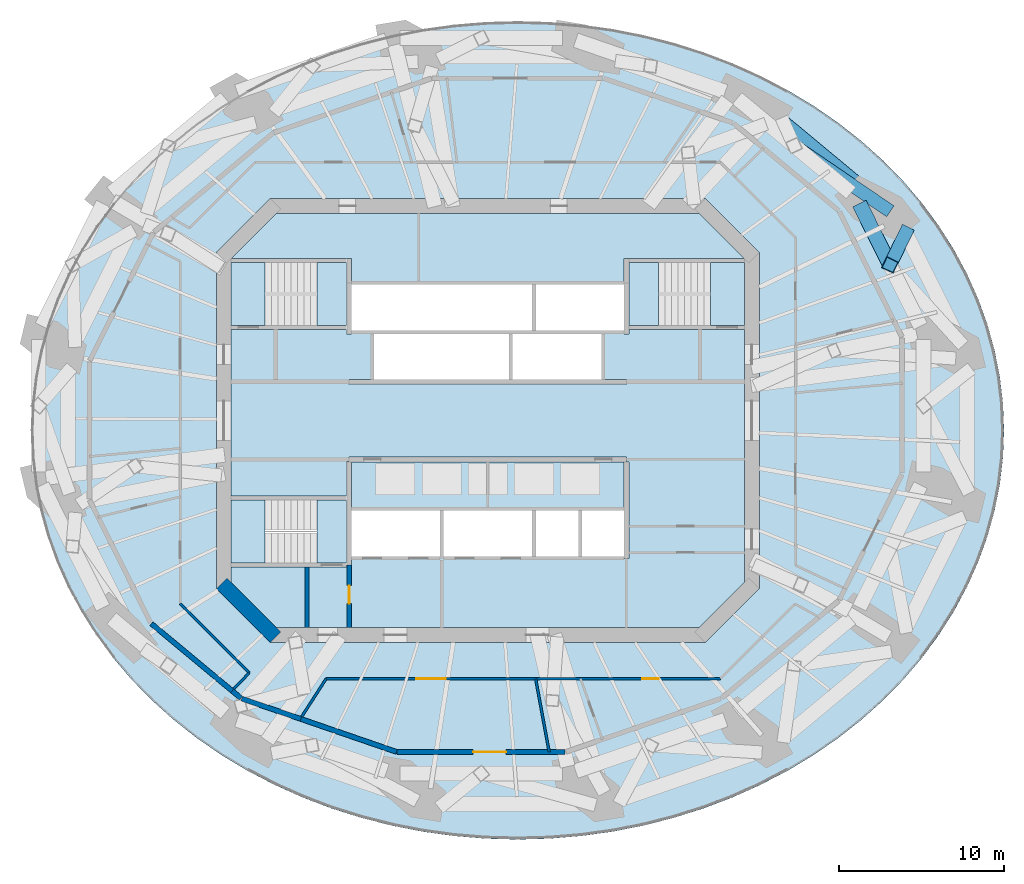
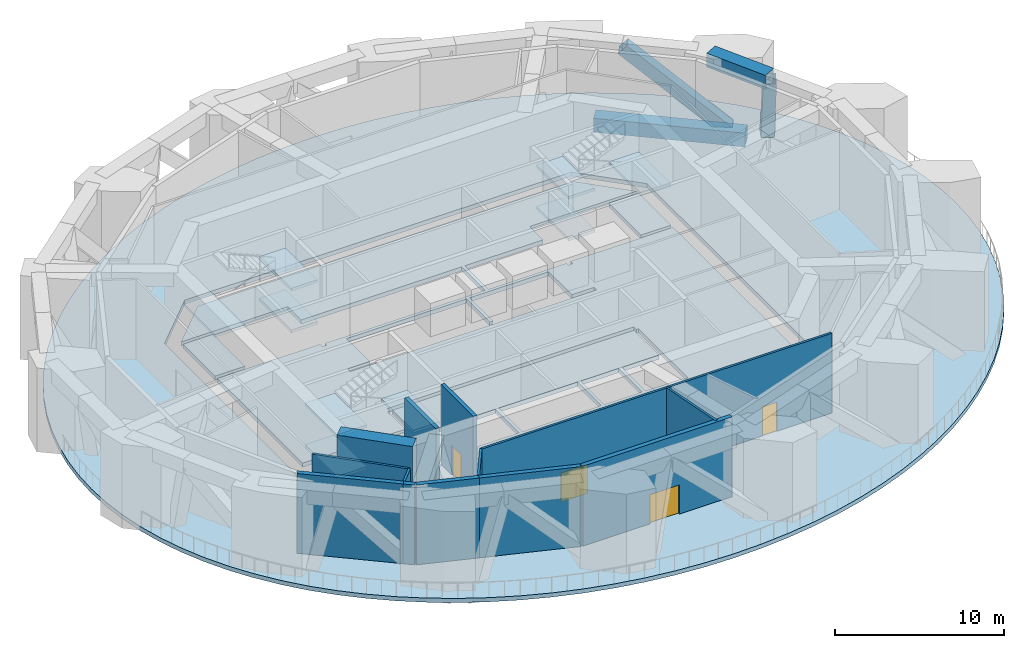
# One storey, part 4 of 11: 14 slabs, 13 walls, 4 doors, 4 members, 4 openings, 3 elements without a shape of their own.
"""IFC4 building model written with IfcOpenShell, lengths in metres."""

from ifc_helpers import new_model, si_unit, direction, frame, frame_2d, origin, origin_2d, place, context, subcontext, project, spatial, polyline, rectangle, hollow_rectangle, outline, extrude, material, layer, layer_set, material_profile, profile_set, type_object, element, fill, aggregate, save


model = new_model("IFC4")

# Units and contexts
model_context = context("Model", 3, precision=1e-05, world=origin(), true_north=direction((0.0, 1.0)))
body_context = subcontext(model_context, "Body", "Model", "MODEL_VIEW")
ifc_project = project(units=[si_unit("LENGTHUNIT", "METRE"), si_unit("AREAUNIT", "SQUARE_METRE"), si_unit("VOLUMEUNIT", "CUBIC_METRE"), si_unit("PLANEANGLEUNIT", "RADIAN"), si_unit("MASSUNIT", "GRAM", prefix="KILO")], contexts=[model_context])

# Site, building, storey
site_placement = place(None, origin())
site = spatial("IfcSite", under=ifc_project, at=site_placement, CompositionType="ELEMENT")
building_placement = place(site_placement, origin())
building = spatial("IfcBuilding", under=site, at=building_placement, Name="Marenthal Gate Tower", CompositionType="ELEMENT")
storey_placement = place(building_placement, frame((0.0, 0.0, 273.10009765625)))
storey = spatial("IfcBuildingStorey", under=building, at=storey_placement, Name="L61", CompositionType="ELEMENT", Elevation=273.10009765625)

# Members
ifc_material_1 = material(Name="Steel S460", Category="steel")
ifc_material_profile_1 = material_profile(ifc_material_1, hollow_rectangle(XDim=0.89990234375, YDim=1.0, WallThickness=0.06005859375, at=origin_2d()), Name="BOX 1000X900X60")
ifc_profile_set_1 = profile_set([ifc_material_profile_1], Name="Steel S460")
member_type_1 = type_object("IfcMemberType", Name="belt chord BOX 1000X900X60", PredefinedType="CHORD", material=ifc_profile_set_1)
member_1_placement = place(storey_placement, frame((24.37109375, 9.4296875, 5.25), z_axis=(-0.446014104566, 0.895025931763, 0.0), x_axis=(-0.895025931763, -0.446014104566, 0.0)))
element("IfcMember", 1, at=member_1_placement, inside=storey, type_object=member_type_1, Name="BT-L61-03", PredefinedType="CHORD", context=body_context, shape_type="SweptSolid", body=[
    extrude(hollow_rectangle(XDim=0.89990234375, YDim=1.0, WallThickness=0.06005859375, at=origin_2d()), origin(), (0.0, 0.0, 1.0), 4.153564453125),
])
member_2_placement = place(storey_placement, frame((24.5576171875, 12.5107421875, -0.800048828125), z_axis=(-0.769071224025, 0.639163087464, 0.0), x_axis=(-0.639163087464, -0.769071224025, 0.0)))
element("IfcMember", 2, at=member_2_placement, inside=storey, type_object=member_type_1, Name="BT-L61-06", PredefinedType="CHORD", context=body_context, shape_type="SweptSolid", body=[
    extrude(hollow_rectangle(XDim=0.89990234375, YDim=1.0, WallThickness=0.06005859375, at=origin_2d()), origin(), (0.0, 0.0, 1.0), 9.0810546875),
])
ifc_material_2 = material(Name="Steel S355", Category="steel")
ifc_material_profile_2 = material_profile(ifc_material_2, hollow_rectangle(XDim=0.800048828125, YDim=0.800048828125, WallThickness=0.044921875, at=origin_2d()), Name="BOX 800X800X45")
ifc_profile_set_2 = profile_set([ifc_material_profile_2], Name="Steel S355")
member_type_2 = type_object("IfcMemberType", Name="belt diagonal BOX 800X800X45", PredefinedType="BRACE", material=ifc_profile_set_2)
member_3_placement = place(storey_placement, frame((24.37109375, 9.4296875, 5.25), z_axis=(0.147840823199, 0.303392768472, -0.941326680295), x_axis=(-0.898950095284, 0.438051054319, 0.0)))
element("IfcMember", 3, at=member_3_placement, inside=storey, type_object=member_type_2, Name="BT-L61-05", PredefinedType="BRACE", context=body_context, shape_type="SweptSolid", body=[
    extrude(hollow_rectangle(XDim=0.800048828125, YDim=0.800048828125, WallThickness=0.044921875, at=origin_2d()), origin(), (0.0, 0.0, 1.0), 6.42724609375),
])
member_4_placement = place(storey_placement, frame((24.173095703125, 12.830322265625, -0.800048828125), z_axis=(-0.617054203113, 0.420859032736, 0.664922390197), x_axis=(-0.563465008619, -0.826139930074, 0.0)))
element("IfcMember", 4, at=member_4_placement, inside=storey, type_object=member_type_2, Name="BT-L61-09", PredefinedType="BRACE", context=body_context, shape_type="SweptSolid", body=[
    extrude(hollow_rectangle(XDim=0.800048828125, YDim=0.800048828125, WallThickness=0.044921875, at=origin_2d()), origin(), (0.0, 0.0, 1.0), 9.098876953125),
])

# Slabs
ifc_material_3 = material(Name="Concrete 50 MPa", Category="concrete")
ifc_layer_1 = layer(ifc_material_3, 0.300048828125)
ifc_layer_set_1 = layer_set([ifc_layer_1], Name="Core floor slab 300")
slab_type_1 = type_object("IfcSlabType", Name="Core floor slab 300", PredefinedType="FLOOR", material=ifc_layer_set_1)
slab_1_placement = place(storey_placement, frame((0.0, 0.0, -0.300048828125)))
element("IfcSlab", 5, at=slab_1_placement, inside=storey, type_object=slab_type_1, Name="Core floor L61", PredefinedType="FLOOR", context=body_context, shape_type="SweptSolid", body=[
    extrude(outline(polyline([(12.813720703125, -12.550048828125), (-12.813720703125, -12.550048828125), (-15.550048828125, -9.813720703125), (-15.550048828125, -8.875), (-8.550048828125, -8.875), (-8.550048828125, -8.75), (-8.25, -8.75), (-8.25, -8.239990234375), (-5.60009765625, -8.239990234375), (-2.909912109375, -8.239990234375), (-2.909912109375, -5.4599609375), (-5.60009765625, -5.4599609375), (-8.25, -5.4599609375), (-8.25, -2.5), (8.25, -2.5), (8.25, -5.4599609375), (5.7099609375, -5.4599609375), (5.7099609375, -8.239990234375), (8.25, -8.239990234375), (8.25, -8.35009765625), (8.550048828125, -8.35009765625), (8.550048828125, -2.5), (8.39990234375, -2.5), (8.39990234375, -2.199951171875), (-8.39990234375, -2.199951171875), (-8.39990234375, -2.5), (-8.550048828125, -2.5), (-8.550048828125, -4.574951171875), (-15.550048828125, -4.574951171875), (-15.550048828125, 5.52490234375), (-8.550048828125, 5.52490234375), (-8.550048828125, 5.239990234375), (-8.25, 5.239990234375), (-8.25, 5.4599609375), (-5.60009765625, 5.4599609375), (-2.800048828125, 5.4599609375), (0.0, 5.4599609375), (2.68994140625, 5.4599609375), (2.68994140625, 8.239990234375), (0.0, 8.239990234375), (-2.800048828125, 8.239990234375), (-5.60009765625, 8.239990234375), (-8.25, 8.239990234375), (-8.25, 8.35009765625), (-8.25, 9.824951171875), (-8.550048828125, 9.824951171875), (-15.53857421875, 9.824951171875), (-12.813720703125, 12.550048828125), (12.813720703125, 12.550048828125), (15.53857421875, 9.824951171875), (8.550048828125, 9.824951171875), (8.25, 9.824951171875), (8.25, 8.35009765625), (8.25, 8.239990234375), (5.60009765625, 8.239990234375), (2.909912109375, 8.239990234375), (2.909912109375, 5.4599609375), (5.60009765625, 5.4599609375), (8.25, 5.4599609375), (8.25, 5.239990234375), (8.550048828125, 5.239990234375), (8.550048828125, 5.52490234375), (15.550048828125, 5.52490234375), (15.550048828125, -9.813720703125), (12.813720703125, -12.550048828125)]), holes=[polyline([(2.68994140625, -8.239990234375), (2.68994140625, -5.4599609375), (0.0, -5.4599609375), (-2.68994140625, -5.4599609375), (-2.68994140625, -8.239990234375), (0.0, -8.239990234375), (2.68994140625, -8.239990234375)]), polyline([(-6.889892578125, 5.239990234375), (-6.889892578125, 2.5), (-8.39990234375, 2.5), (-8.39990234375, 2.199951171875), (8.39990234375, 2.199951171875), (8.39990234375, 2.5), (6.889892578125, 2.5), (6.889892578125, 5.239990234375), (4.199951171875, 5.239990234375), (1.510009765625, 5.239990234375), (1.510009765625, 2.5), (1.2900390625, 2.5), (1.2900390625, 5.239990234375), (-1.39990234375, 5.239990234375), (-4.199951171875, 5.239990234375), (-6.889892578125, 5.239990234375)]), polyline([(5.489990234375, -8.239990234375), (5.489990234375, -5.4599609375), (2.909912109375, -5.4599609375), (2.909912109375, -8.239990234375), (5.489990234375, -8.239990234375)])]), origin(), (0.0, 0.0, 1.0), 0.300048828125),
])
slab_2_placement = place(storey_placement, frame((0.0, 0.0, -0.300048828125)))
element("IfcSlab", 6, at=slab_2_placement, inside=storey, type_object=slab_type_1, Name="Core floor L61", PredefinedType="FLOOR", context=body_context, shape_type="SweptSolid", body=[
    extrude(outline(polyline([(15.550048828125, 5.77490234375), (13.5, 5.77490234375), (13.5, 9.574951171875), (15.550048828125, 9.574951171875), (15.550048828125, 5.77490234375)])), origin(), (0.0, 0.0, 1.0), 0.300048828125),
])
slab_3_placement = place(storey_placement, frame((0.0, 0.0, -0.300048828125)))
element("IfcSlab", 7, at=slab_3_placement, inside=storey, type_object=slab_type_1, Name="Core floor L61", PredefinedType="FLOOR", context=body_context, shape_type="SweptSolid", body=[
    extrude(outline(polyline([(-15.550048828125, 9.574951171875), (-13.5, 9.574951171875), (-13.5, 5.77490234375), (-15.550048828125, 5.77490234375), (-15.550048828125, 9.574951171875)])), origin(), (0.0, 0.0, 1.0), 0.300048828125),
])
slab_4_placement = place(storey_placement, frame((0.0, 0.0, -0.300048828125)))
element("IfcSlab", 8, at=slab_4_placement, inside=storey, type_object=slab_type_1, Name="Core floor L61", PredefinedType="FLOOR", context=body_context, shape_type="SweptSolid", body=[
    extrude(outline(polyline([(-8.550048828125, -8.625), (-10.35009765625, -8.625), (-10.35009765625, -4.824951171875), (-8.550048828125, -4.824951171875), (-8.550048828125, -8.625)])), origin(), (0.0, 0.0, 1.0), 0.300048828125),
])
ifc_material_4 = material(Name="Concrete 35 MPa", Category="concrete")
ifc_layer_2 = layer(ifc_material_4, 0.300048828125)
ifc_layer_set_2 = layer_set([ifc_layer_2], Name="Refuge floor slab 300")
slab_type_2 = type_object("IfcSlabType", Name="Refuge floor slab 300", PredefinedType="FLOOR", material=ifc_layer_set_2)
slab_5_placement = place(storey_placement, frame((0.0, 0.0, -0.300048828125)))
element("IfcSlab", 9, at=slab_5_placement, inside=storey, type_object=slab_type_2, Name="SL-L61-01", PredefinedType="FLOOR", context=body_context, shape_type="SweptSolid", body=[
    extrude(outline(polyline([(31.281005859375, -0.60009765625), (31.218017578125, 1.021240234375), (31.02880859375, 2.635498046875), (30.714599609375, 4.23583984375), (30.276611328125, 5.815673828125), (29.71630859375, 7.367919921875), (29.036865234375, 8.885986328125), (28.24072265625, 10.363525390625), (27.331298828125, 11.7939453125), (26.3125, 13.17138671875), (25.188720703125, 14.489990234375), (23.965087890625, 15.743896484375), (22.646240234375, 16.927734375), (21.23828125, 18.03662109375), (19.746826171875, 19.065673828125), (18.1787109375, 20.010498046875), (16.54052734375, 20.866943359375), (14.839111328125, 21.631591796875), (13.081787109375, 22.301025390625), (11.2763671875, 22.87255859375), (9.43017578125, 23.343505859375), (7.551513671875, 23.711669921875), (5.64794921875, 23.975830078125), (3.72802734375, 24.135009765625), (1.800048828125, 24.18798828125), (-0.128173828125, 24.135009765625), (-2.048095703125, 23.975830078125), (-3.951416015625, 23.711669921875), (-5.830078125, 23.343505859375), (-7.676513671875, 22.87255859375), (-9.48193359375, 22.301025390625), (-11.239013671875, 21.631591796875), (-12.9404296875, 20.866943359375), (-14.578857421875, 20.010498046875), (-16.14697265625, 19.065673828125), (-17.63818359375, 18.03662109375), (-19.046142578125, 16.927734375), (-20.364990234375, 15.743896484375), (-21.5888671875, 14.489990234375), (-22.712646484375, 13.17138671875), (-23.731201171875, 11.7939453125), (-24.640625, 10.363525390625), (-25.43701171875, 8.885986328125), (-26.116455078125, 7.367919921875), (-26.676513671875, 5.815673828125), (-27.114501953125, 4.23583984375), (-27.4287109375, 2.635498046875), (-27.617919921875, 1.021240234375), (-27.680908203125, -0.60009765625), (-27.617919921875, -2.22119140625), (-27.4287109375, -3.83544921875), (-27.114501953125, -5.435791015625), (-26.676513671875, -7.015625), (-26.116455078125, -8.56787109375), (-25.43701171875, -10.0859375), (-24.640625, -11.5634765625), (-23.731201171875, -12.993896484375), (-22.712646484375, -14.37158203125), (-21.5888671875, -15.68994140625), (-20.364990234375, -16.94384765625), (-19.046142578125, -18.127685546875), (-17.63818359375, -19.236572265625), (-16.14697265625, -20.265625), (-14.578857421875, -21.21044921875), (-12.9404296875, -22.06689453125), (-11.239013671875, -22.831787109375), (-9.48193359375, -23.501220703125), (-7.676513671875, -24.072509765625), (-5.830078125, -24.54345703125), (-3.951416015625, -24.91162109375), (-2.048095703125, -25.17578125), (-0.128173828125, -25.3349609375), (1.800048828125, -25.387939453125), (3.72802734375, -25.3349609375), (5.64794921875, -25.17578125), (7.551513671875, -24.91162109375), (9.43017578125, -24.54345703125), (11.2763671875, -24.072509765625), (13.081787109375, -23.501220703125), (14.839111328125, -22.831787109375), (16.54052734375, -22.06689453125), (18.1787109375, -21.21044921875), (19.746826171875, -20.265625), (21.23828125, -19.236572265625), (22.646240234375, -18.127685546875), (23.965087890625, -16.94384765625), (25.188720703125, -15.68994140625), (26.3125, -14.37158203125), (27.331298828125, -12.993896484375), (28.24072265625, -11.5634765625), (29.036865234375, -10.0859375), (29.71630859375, -8.56787109375), (30.276611328125, -7.015625), (30.714599609375, -5.435791015625), (31.02880859375, -3.83544921875), (31.218017578125, -2.22119140625), (31.281005859375, -0.60009765625)]), holes=[polyline([(13.186279296875, -13.449951171875), (16.449951171875, -10.186279296875), (16.449951171875, 10.186279296875), (13.186279296875, 13.449951171875), (-13.186279296875, 13.449951171875), (-16.449951171875, 10.186279296875), (-16.449951171875, -10.186279296875), (-13.186279296875, -13.449951171875), (13.186279296875, -13.449951171875)])]), origin(), (0.0, 0.0, 1.0), 0.300048828125),
])

# Stair, slabs
ifc_material_5 = material(Name="Concrete 40 MPa", Category="concrete")
stair_type = type_object("IfcStairType", Name="Exit stair 1800", PredefinedType="HALF_TURN_STAIR", material=ifc_material_5)
stair_1_placement = place(storey_placement, origin())
stair_1 = element("IfcStair", 10, at=stair_1_placement, inside=storey, type_object=stair_type, Name="Stair ST1", PredefinedType="HALF_TURN_STAIR")
ifc_material_6 = material(Name="Concrete 40 MPa", Category="concrete")
ifc_layer_3 = layer(ifc_material_6, 0.199951171875)
ifc_layer_set_3 = layer_set([ifc_layer_3], Name="Stair landing 200")
slab_type_3 = type_object("IfcSlabType", Name="Stair landing 200", PredefinedType="LANDING", material=ifc_layer_set_3)
slab_6_placement = place(storey_placement, frame((0.0, 0.0, 1.2998046875)))
slab_6 = element("IfcSlab", 11, at=slab_6_placement, type_object=slab_type_3, Name="ST1 landing 1", PredefinedType="LANDING", context=body_context, shape_type="SweptSolid", body=[
    extrude(outline(polyline([(-10.350341796875, 5.77490234375), (-8.550048828125, 5.77490234375), (-8.550048828125, 9.574951171875), (-10.350341796875, 9.574951171875), (-10.350341796875, 5.77490234375)])), origin(), (0.0, 0.0, 1.0), 0.2001953125),
])
slab_7_placement = place(storey_placement, frame((0.0, 0.0, 2.7998046875)))
slab_7 = element("IfcSlab", 12, at=slab_7_placement, type_object=slab_type_3, Name="ST1 landing 2", PredefinedType="LANDING", context=body_context, shape_type="SweptSolid", body=[
    extrude(outline(polyline([(-15.550048828125, 5.77490234375), (-13.5, 5.77490234375), (-13.5, 9.574951171875), (-15.550048828125, 9.574951171875), (-15.550048828125, 5.77490234375)])), origin(), (0.0, 0.0, 1.0), 0.2001953125),
])
slab_8_placement = place(storey_placement, frame((0.0, 0.0, 4.2998046875)))
slab_8 = element("IfcSlab", 13, at=slab_8_placement, type_object=slab_type_3, Name="ST1 landing 3", PredefinedType="LANDING", context=body_context, shape_type="SweptSolid", body=[
    extrude(outline(polyline([(-10.350341796875, 5.77490234375), (-8.550048828125, 5.77490234375), (-8.550048828125, 9.574951171875), (-10.350341796875, 9.574951171875), (-10.350341796875, 5.77490234375)])), origin(), (0.0, 0.0, 1.0), 0.2001953125),
])
aggregate(stair_1, [slab_6, slab_7, slab_8])

stair_2_placement = place(storey_placement, origin())
stair_2 = element("IfcStair", 14, at=stair_2_placement, inside=storey, type_object=stair_type, Name="Stair ST2", PredefinedType="HALF_TURN_STAIR")
slab_9_placement = place(storey_placement, frame((0.0, 0.0, 1.2998046875)))
slab_9 = element("IfcSlab", 15, at=slab_9_placement, type_object=slab_type_3, Name="ST2 landing 1", PredefinedType="LANDING", context=body_context, shape_type="SweptSolid", body=[
    extrude(outline(polyline([(-15.550048828125, -8.625), (-13.49951171875, -8.625), (-13.49951171875, -4.824951171875), (-15.550048828125, -4.824951171875), (-15.550048828125, -8.625)])), origin(), (0.0, 0.0, 1.0), 0.2001953125),
])
slab_10_placement = place(storey_placement, frame((0.0, 0.0, 2.7998046875)))
slab_10 = element("IfcSlab", 16, at=slab_10_placement, type_object=slab_type_3, Name="ST2 landing 2", PredefinedType="LANDING", context=body_context, shape_type="SweptSolid", body=[
    extrude(outline(polyline([(-10.35009765625, -8.625), (-8.550048828125, -8.625), (-8.550048828125, -4.824951171875), (-10.35009765625, -4.824951171875), (-10.35009765625, -8.625)])), origin(), (0.0, 0.0, 1.0), 0.2001953125),
])
slab_11_placement = place(storey_placement, frame((0.0, 0.0, 4.2998046875)))
slab_11 = element("IfcSlab", 17, at=slab_11_placement, type_object=slab_type_3, Name="ST2 landing 3", PredefinedType="LANDING", context=body_context, shape_type="SweptSolid", body=[
    extrude(outline(polyline([(-15.550048828125, -8.625), (-13.49951171875, -8.625), (-13.49951171875, -4.824951171875), (-15.550048828125, -4.824951171875), (-15.550048828125, -8.625)])), origin(), (0.0, 0.0, 1.0), 0.2001953125),
])
aggregate(stair_2, [slab_9, slab_10, slab_11])

stair_3_placement = place(storey_placement, origin())
stair_3 = element("IfcStair", 18, at=stair_3_placement, inside=storey, type_object=stair_type, Name="Stair ST3", PredefinedType="HALF_TURN_STAIR")
slab_12_placement = place(storey_placement, frame((0.0, 0.0, 1.2998046875)))
slab_12 = element("IfcSlab", 19, at=slab_12_placement, type_object=slab_type_3, Name="ST3 landing 1", PredefinedType="LANDING", context=body_context, shape_type="SweptSolid", body=[
    extrude(outline(polyline([(8.550048828125, 5.77490234375), (10.350341796875, 5.77490234375), (10.350341796875, 9.574951171875), (8.550048828125, 9.574951171875), (8.550048828125, 5.77490234375)])), origin(), (0.0, 0.0, 1.0), 0.2001953125),
])
slab_13_placement = place(storey_placement, frame((0.0, 0.0, 2.7998046875)))
slab_13 = element("IfcSlab", 20, at=slab_13_placement, type_object=slab_type_3, Name="ST3 landing 2", PredefinedType="LANDING", context=body_context, shape_type="SweptSolid", body=[
    extrude(outline(polyline([(13.5, 5.77490234375), (15.550048828125, 5.77490234375), (15.550048828125, 9.574951171875), (13.5, 9.574951171875), (13.5, 5.77490234375)])), origin(), (0.0, 0.0, 1.0), 0.2001953125),
])
slab_14_placement = place(storey_placement, frame((0.0, 0.0, 4.2998046875)))
slab_14 = element("IfcSlab", 21, at=slab_14_placement, type_object=slab_type_3, Name="ST3 landing 3", PredefinedType="LANDING", context=body_context, shape_type="SweptSolid", body=[
    extrude(outline(polyline([(8.550048828125, 5.77490234375), (10.350341796875, 5.77490234375), (10.350341796875, 9.574951171875), (8.550048828125, 9.574951171875), (8.550048828125, 5.77490234375)])), origin(), (0.0, 0.0, 1.0), 0.2001953125),
])
aggregate(stair_3, [slab_12, slab_13, slab_14])

# Wall
ifc_material_7 = material(Name="Concrete 60 MPa", Category="concrete")
ifc_layer_4 = layer(ifc_material_7, 0.89990234375)
ifc_layer_set_4 = layer_set([ifc_layer_4], Name="Core shear wall 900")
wall_type_1 = type_object("IfcWallType", Name="Core shear wall 900", PredefinedType="SHEAR", material=ifc_layer_set_4)
wall_1_placement = place(storey_placement, frame((-16.1318359375, -9.8681640625, -0.300048828125), z_axis=(0.0, 0.0, 1.0), x_axis=(0.707106781187, -0.707106781187, 0.0)))
element("IfcWall", 22, at=wall_1_placement, inside=storey, type_object=wall_type_1, Name="Core wall 07", PredefinedType="SHEAR", context=body_context, shape_type="SweptSolid", body=[
    extrude(rectangle(XDim=4.615478515625, YDim=0.89990234375, at=frame_2d((2.3076171875, 0.0))), origin(), (0.0, 0.0, 1.0), 6.050048828125),
])

# Wall, opening, door
ifc_material_8 = material(Name="Concrete 40 MPa", Category="concrete")
ifc_layer_5 = layer(ifc_material_8, 0.300048828125)
ifc_layer_set_5 = layer_set([ifc_layer_5], Name="External wall 300")
wall_type_2 = type_object("IfcWallType", Name="External wall 300", PredefinedType="STANDARD", material=ifc_layer_set_5)
wall_2_placement = place(storey_placement, frame((-5.49072265625, -20.08642578125, 0.0), z_axis=(0.0, 0.0, 1.0), x_axis=(1.0, 0.0, 0.0)))
wall_2 = element("IfcWall", 23, at=wall_2_placement, inside=storey, type_object=wall_type_2, Name="External wall 49", PredefinedType="STANDARD", context=body_context, shape_type="SweptSolid", body=[
    extrude(rectangle(XDim=10.181640625, YDim=0.300048828125, at=frame_2d((5.0908203125, 0.0))), origin(), (0.0, 0.0, 1.0), 5.75),
])
opening_1_placement = place(wall_2_placement, frame((4.59228515625, 0.0, 0.0)))
opening_1 = element("IfcOpeningElement", 24, at=opening_1_placement, cuts=wall_2, Name="Opening D018.03", PredefinedType="OPENING", context=body_context, shape_type="SweptSolid", body=[
    extrude(rectangle(XDim=2.0, YDim=2.10009765625, at=frame_2d((1.0, 1.050048828125))), frame((0.0, 0.16015625, 0.0), z_axis=(0.0, -1.0, 0.0), x_axis=(1.0, 0.0, 0.0)), (0.0, 0.0, 1.0), 0.320068359375),
])
ifc_material_9 = material(Name="Steel fire door", Category="steel")
door_type_1 = type_object("IfcDoorType", Name="Double fire door FD 45 2000 x 2100", OperationType="DOUBLE_DOOR_SINGLE_SWING", PredefinedType="DOOR", material=ifc_material_9)
door_1_placement = place(opening_1_placement, frame((2.0, 0.0, 0.0), z_axis=(0.0, 0.0, 1.0), x_axis=(-1.0, 0.0, 0.0)))
door_1 = element("IfcDoor", 25, at=door_1_placement, inside=storey, type_object=door_type_1, Name="Door D018.03", OperationType="DOUBLE_DOOR_SINGLE_SWING", OverallHeight=2.10009765625, OverallWidth=2.0, PredefinedType="DOOR", context=body_context, shape_type="SweptSolid", body=[
    extrude(rectangle(XDim=2.0, YDim=2.10009765625, at=frame_2d((1.0, 1.050048828125))), frame((0.0, 0.02490234375, 0.0), z_axis=(0.0, -1.0, 0.0), x_axis=(1.0, 0.0, 0.0)), (0.0, 0.0, 1.0), 0.050048828125),
])
fill(opening_1, door_1)

# Walls
wall_3_placement = place(storey_placement, frame((-15.493408203125, -16.3818359375, 0.0), z_axis=(0.0, 0.0, 1.0), x_axis=(-0.769038321176, 0.639202675653, 0.0)))
element("IfcWall", 26, at=wall_3_placement, inside=storey, type_object=wall_type_2, Name="External wall 62", PredefinedType="STANDARD", context=body_context, shape_type="SweptSolid", body=[
    extrude(rectangle(XDim=6.36328125, YDim=0.300048828125, at=frame_2d((3.181640625, 0.0))), origin(), (0.0, 0.0, 1.0), 5.75),
])
wall_4_placement = place(storey_placement, frame((-5.53955078125, -20.078125, 0.0), z_axis=(0.0, 0.0, 1.0), x_axis=(-0.945537787168, 0.325512354663, 0.0)))
element("IfcWall", 27, at=wall_4_placement, inside=storey, type_object=wall_type_2, Name="External wall 64", PredefinedType="STANDARD", context=body_context, shape_type="SweptSolid", body=[
    extrude(rectangle(XDim=6.119384765625, YDim=0.300048828125, at=frame_2d((3.0595703125, 0.0))), origin(), (0.0, 0.0, 1.0), 5.75),
])
wall_5_placement = place(storey_placement, frame((-14.961181640625, -16.82421875, 0.0), z_axis=(0.0, 0.0, 1.0), x_axis=(-0.769030292566, 0.639212334922, 0.0)))
element("IfcWall", 28, at=wall_5_placement, inside=storey, type_object=wall_type_2, Name="External wall 69", PredefinedType="STANDARD", context=body_context, shape_type="SweptSolid", body=[
    extrude(rectangle(XDim=0.692138671875, YDim=0.300048828125, at=frame_2d((0.34619140625, 0.0))), origin(), (0.0, 0.0, 1.0), 5.75),
])
wall_6_placement = place(storey_placement, frame((-11.32568359375, -18.086181640625, 0.0), z_axis=(0.0, 0.0, 1.0), x_axis=(-0.945523953298, 0.325552536067, 0.0)))
element("IfcWall", 29, at=wall_6_placement, inside=storey, type_object=wall_type_2, Name="External wall 70", PredefinedType="STANDARD", context=body_context, shape_type="SweptSolid", body=[
    extrude(rectangle(XDim=3.79541015625, YDim=0.300048828125, at=frame_2d((1.897705078125, 0.0))), origin(), (0.0, 0.0, 1.0), 5.75),
])

# Wall, openings, doors
ifc_material_10 = material(Name="Gypsum board on steel studs", Category="steel")
ifc_layer_6 = layer(ifc_material_10, 0.14990234375)
ifc_layer_set_6 = layer_set([ifc_layer_6], Name="Partition 150")
wall_type_3 = type_object("IfcWallType", Name="Partition 150", PredefinedType="PARTITIONING", material=ifc_layer_set_6)
wall_7_placement = place(storey_placement, frame((-9.80029296875, -15.64990234375, 0.0), z_axis=(0.0, 0.0, 1.0), x_axis=(1.0, 0.0, 0.0)))
wall_7 = element("IfcWall", 30, at=wall_7_placement, inside=storey, type_object=wall_type_3, Name="Partition wall 71", PredefinedType="PARTITIONING", context=body_context, shape_type="SweptSolid", body=[
    extrude(rectangle(XDim=23.89794921875, YDim=0.14990234375, at=frame_2d((11.948974609375, 0.0))), origin(), (0.0, 0.0, 1.0), 5.75),
])
opening_2_placement = place(wall_7_placement, frame((5.448974609375, 0.0, 0.0)))
opening_2 = element("IfcOpeningElement", 31, at=opening_2_placement, cuts=wall_7, Name="Opening D007.03", PredefinedType="OPENING", context=body_context, shape_type="SweptSolid", body=[
    extrude(rectangle(XDim=1.800048828125, YDim=2.10009765625, at=frame_2d((0.89990234375, 1.050048828125))), frame((0.0, 0.0849609375, 0.0), z_axis=(0.0, -1.0, 0.0), x_axis=(1.0, 0.0, 0.0)), (0.0, 0.0, 1.0), 0.169921875),
])
opening_3_placement = place(wall_7_placement, frame((19.159423828125, 0.0, 0.0)))
opening_3 = element("IfcOpeningElement", 32, at=opening_3_placement, cuts=wall_7, Name="Opening D005.10", PredefinedType="OPENING", context=body_context, shape_type="SweptSolid", body=[
    extrude(rectangle(XDim=1.0, YDim=2.10009765625, at=frame_2d((0.5, 1.050048828125))), frame((0.0, 0.0849609375, 0.0), z_axis=(0.0, -1.0, 0.0), x_axis=(1.0, 0.0, 0.0)), (0.0, 0.0, 1.0), 0.169921875),
])
ifc_material_11 = material(Name="Steel fire door", Category="steel")
door_type_2 = type_object("IfcDoorType", Name="Double fire door FD 45 1800 x 2100", OperationType="DOUBLE_DOOR_SINGLE_SWING", PredefinedType="DOOR", material=ifc_material_11)
door_2_placement = place(opening_2_placement, origin())
door_2 = element("IfcDoor", 33, at=door_2_placement, inside=storey, type_object=door_type_2, Name="Door D007.03", OperationType="DOUBLE_DOOR_SINGLE_SWING", OverallHeight=2.10009765625, OverallWidth=1.800048828125, PredefinedType="DOOR", context=body_context, shape_type="SweptSolid", body=[
    extrude(rectangle(XDim=1.800048828125, YDim=2.10009765625, at=frame_2d((0.89990234375, 1.050048828125))), frame((0.0, 0.02490234375, 0.0), z_axis=(0.0, -1.0, 0.0), x_axis=(1.0, 0.0, 0.0)), (0.0, 0.0, 1.0), 0.050048828125),
])
fill(opening_2, door_2)
ifc_material_12 = material(Name="Steel fire door", Category="steel")
door_type_3 = type_object("IfcDoorType", Name="Fire door FD 45 1000 x 2100", OperationType="NOTDEFINED", PredefinedType="DOOR", material=ifc_material_12)
door_3_placement = place(opening_3_placement, frame((1.0, 0.0, 0.0), z_axis=(0.0, 0.0, 1.0), x_axis=(-1.0, 0.0, 0.0)))
door_3 = element("IfcDoor", 34, at=door_3_placement, inside=storey, type_object=door_type_3, Name="Door D005.10", OperationType="SINGLE_SWING_LEFT", OverallHeight=2.10009765625, OverallWidth=1.0, PredefinedType="DOOR", context=body_context, shape_type="SweptSolid", body=[
    extrude(rectangle(XDim=1.0, YDim=2.10009765625, at=frame_2d((0.5, 1.050048828125))), frame((0.0, 0.02490234375, 0.0), z_axis=(0.0, -1.0, 0.0), x_axis=(1.0, 0.0, 0.0)), (0.0, 0.0, 1.0), 0.050048828125),
])
fill(opening_3, door_3)

# Walls
wall_8_placement = place(storey_placement, frame((-15.41015625, -16.281982421875, 0.0), z_axis=(0.0, 0.0, 1.0), x_axis=(0.691492665809, 0.722383480661, 0.0)))
element("IfcWall", 35, at=wall_8_placement, inside=storey, type_object=wall_type_3, Name="Partition wall 80", PredefinedType="PARTITIONING", context=body_context, shape_type="SweptSolid", body=[
    extrude(rectangle(XDim=1.375244140625, YDim=0.14990234375, at=frame_2d((0.6875, 0.0))), origin(), (0.0, 0.0, 1.0), 5.75),
])
wall_9_placement = place(storey_placement, frame((-11.273681640625, -17.934814453125, 0.0), z_axis=(0.0, 0.0, 1.0), x_axis=(0.541932545336, 0.840421987043, 0.0)))
element("IfcWall", 36, at=wall_9_placement, inside=storey, type_object=wall_type_3, Name="Partition wall 82", PredefinedType="PARTITIONING", context=body_context, shape_type="SweptSolid", body=[
    extrude(rectangle(XDim=2.71875, YDim=0.14990234375, at=frame_2d((1.359375, 0.0))), origin(), (0.0, 0.0, 1.0), 5.75),
])
wall_10_placement = place(storey_placement, frame((3.718994140625, -20.08642578125, 0.0), z_axis=(0.0, 0.0, 1.0), x_axis=(-0.182027255374, 0.983293485334, 0.0)))
element("IfcWall", 37, at=wall_10_placement, inside=storey, type_object=wall_type_3, Name="Partition wall 86", PredefinedType="PARTITIONING", context=body_context, shape_type="SweptSolid", body=[
    extrude(rectangle(XDim=4.511962890625, YDim=0.14990234375, at=frame_2d((2.255859375, 0.0))), origin(), (0.0, 0.0, 1.0), 5.75),
])
wall_11_placement = place(storey_placement, frame((-14.459228515625, -15.28857421875, 0.0), z_axis=(0.0, 0.0, 1.0), x_axis=(-0.707086184144, 0.707127377629, 0.0)))
element("IfcWall", 38, at=wall_11_placement, inside=storey, type_object=wall_type_3, Name="Partition wall 90", PredefinedType="PARTITIONING", context=body_context, shape_type="SweptSolid", body=[
    extrude(rectangle(XDim=5.9267578125, YDim=0.14990234375, at=frame_2d((2.96337890625, 0.0))), origin(), (0.0, 0.0, 1.0), 5.75),
])
ifc_material_13 = material(Name="Concrete 40 MPa", Category="concrete")
ifc_layer_7 = layer(ifc_material_13, 0.25)
ifc_layer_set_7 = layer_set([ifc_layer_7], Name="Stair enclosure wall 250")
wall_type_4 = type_object("IfcWallType", Name="Stair enclosure wall 250", PredefinedType="STANDARD", material=ifc_layer_set_7)
wall_12_placement = place(storey_placement, frame((-10.949951171875, -12.550048828125, 0.0), z_axis=(0.0, 0.0, 1.0), x_axis=(0.0, 1.0, 0.0)))
element("IfcWall", 39, at=wall_12_placement, inside=storey, type_object=wall_type_4, Name="Stair wall 29", PredefinedType="STANDARD", context=body_context, shape_type="SweptSolid", body=[
    extrude(rectangle(XDim=3.675048828125, YDim=0.25, at=frame_2d((1.83740234375, 0.0))), origin(), (0.0, 0.0, 1.0), 5.75),
])

# Wall, opening, door
wall_13_placement = place(storey_placement, frame((-8.39990234375, -12.550048828125, 0.0), z_axis=(0.0, 0.0, 1.0), x_axis=(0.0, 1.0, 0.0)))
wall_13 = element("IfcWall", 40, at=wall_13_placement, inside=storey, type_object=wall_type_4, Name="Stair wall 30", PredefinedType="STANDARD", context=body_context, shape_type="SweptSolid", body=[
    extrude(rectangle(XDim=3.800048828125, YDim=0.25, at=frame_2d((1.89990234375, 0.0))), origin(), (0.0, 0.0, 1.0), 5.75),
])
opening_4_placement = place(wall_13_placement, frame((1.449951171875, 0.0, 0.0)))
opening_4 = element("IfcOpeningElement", 41, at=opening_4_placement, cuts=wall_13, Name="Opening D002.01", PredefinedType="OPENING", context=body_context, shape_type="SweptSolid", body=[
    extrude(rectangle(XDim=1.10009765625, YDim=2.10009765625, at=frame_2d((0.550048828125, 1.050048828125))), frame((0.0, 0.135009765625, 0.0), z_axis=(0.0, -1.0, 0.0), x_axis=(1.0, 0.0, 0.0)), (0.0, 0.0, 1.0), 0.27001953125),
])
ifc_material_14 = material(Name="Steel fire door", Category="steel")
door_type_4 = type_object("IfcDoorType", Name="Fire door FD 90 1100 x 2100", OperationType="NOTDEFINED", PredefinedType="DOOR", material=ifc_material_14)
door_4_placement = place(opening_4_placement, origin())
door_4 = element("IfcDoor", 42, at=door_4_placement, inside=storey, type_object=door_type_4, Name="Door D002.01", OperationType="SINGLE_SWING_RIGHT", OverallHeight=2.10009765625, OverallWidth=1.10009765625, PredefinedType="DOOR", context=body_context, shape_type="SweptSolid", body=[
    extrude(rectangle(XDim=1.10009765625, YDim=2.10009765625, at=frame_2d((0.550048828125, 1.050048828125))), frame((0.0, 0.02490234375, 0.0), z_axis=(0.0, -1.0, 0.0), x_axis=(1.0, 0.0, 0.0)), (0.0, 0.0, 1.0), 0.050048828125),
])
fill(opening_4, door_4)

save(model, "model.ifc")
